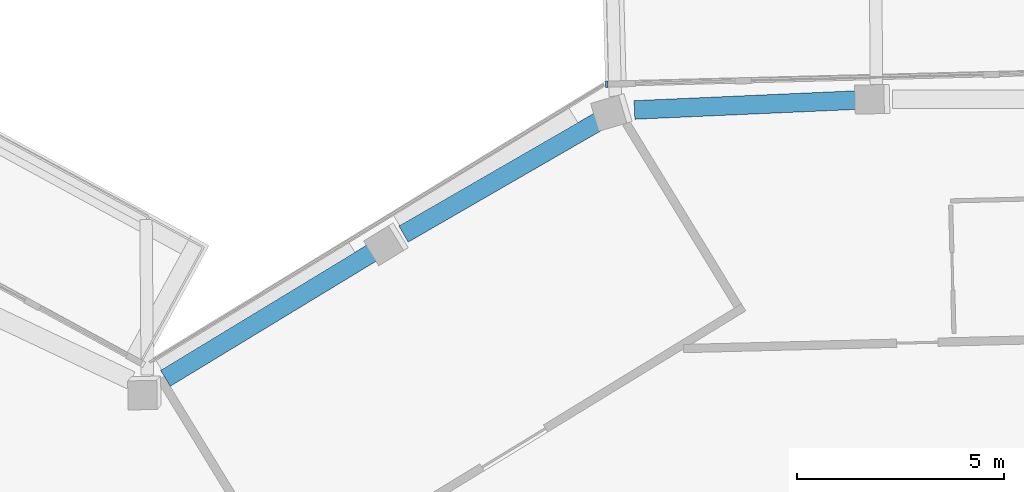
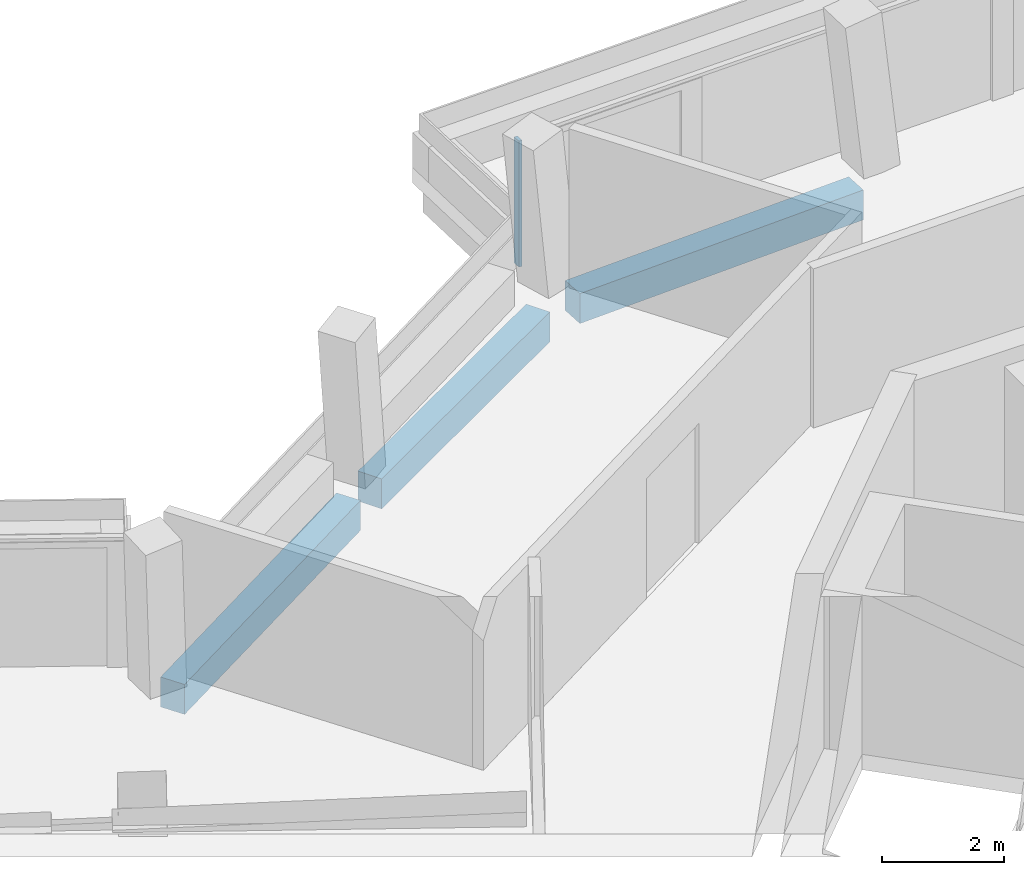
# One storey, part 6 of 26: 3 beams, 1 member, 1 element without a shape of its own.
"""IFC4 building model written with IfcOpenShell, lengths in metres."""

from ifc_helpers import new_model, si_unit, direction, frame, origin, origin_2d, place, context, subcontext, project, spatial, rectangle, extrude, material, layer, layer_set, material_profile, profile_set, type_object, element, aggregate, save


model = new_model("IFC4")

# Units and contexts
model_context = context("Model", 3, precision=1e-05, world=origin(), true_north=direction((0.0, 1.0)))
body_context = subcontext(model_context, "Body", "Model", "MODEL_VIEW")
ifc_project = project(units=[si_unit("LENGTHUNIT", "METRE"), si_unit("AREAUNIT", "SQUARE_METRE"), si_unit("VOLUMEUNIT", "CUBIC_METRE"), si_unit("PLANEANGLEUNIT", "RADIAN"), si_unit("MASSUNIT", "GRAM", prefix="KILO")], contexts=[model_context])

# Site, building, storey
site_placement = place(None, origin())
site = spatial("IfcSite", under=ifc_project, at=site_placement, CompositionType="ELEMENT")
building_placement = place(site_placement, origin())
building = spatial("IfcBuilding", under=site, at=building_placement, Name="Verdalira Terraces Hotel", CompositionType="ELEMENT")
storey_placement = place(building_placement, frame((0.0, 0.0, 284.5)))
storey = spatial("IfcBuildingStorey", under=building, at=storey_placement, Name="L70", CompositionType="ELEMENT", Elevation=284.5)

# Curtain wall, member
ifc_material_1 = material(Name="Clear glass", Category="glass")
ifc_layer = layer(ifc_material_1, 0.14990234375)
ifc_layer_set = layer_set([ifc_layer], Name="CW1 curtain wall")
curtain_wall_type = type_object("IfcCurtainWallType", Name="CW1 curtain wall", PredefinedType="NOTDEFINED", material=ifc_layer_set)
curtain_wall_placement = place(storey_placement, origin())
curtain_wall = element("IfcCurtainWall", 1, at=curtain_wall_placement, inside=storey, type_object=curtain_wall_type, Name="CW1 curtain wall L70 edge 40", PredefinedType="NOTDEFINED")
ifc_material_2 = material(Name="Terracotta frame", Category="masonry")
ifc_material_profile_1 = material_profile(ifc_material_2, rectangle(XDim=0.060059, YDim=0.149902, at=origin_2d()), Name="MU 60x150")
ifc_profile_set_1 = profile_set([ifc_material_profile_1], Name="Terracotta frame")
member_type = type_object("IfcMemberType", Name="CW1 mullion 60x150", PredefinedType="MULLION", material=ifc_profile_set_1)
member_placement = place(storey_placement, frame((-7.075684, 24.013184, 0.0), z_axis=(0.0, 0.0, 1.0), x_axis=(-0.999684189, -0.025130095, 0.0)))
member = element("IfcMember", 2, at=member_placement, type_object=member_type, Name="CW1 mullion", PredefinedType="MULLION", context=body_context, shape_type="SweptSolid", body=[
    extrude(rectangle(XDim=0.060059, YDim=0.149902, at=origin_2d()), origin(), (0.0, 0.0, 1.0), 2.524902),
])
aggregate(curtain_wall, [member])

# Beams
ifc_material_3 = material(Name="Concrete C40", Category="concrete")
ifc_material_profile_2 = material_profile(ifc_material_3, rectangle(XDim=0.449951, YDim=0.600098, at=origin_2d()), Name="RC 450X600")
ifc_profile_set_2 = profile_set([ifc_material_profile_2], Name="Concrete C40")
beam_type = type_object("IfcBeamType", Name="Spandrel beam RC 450X600 C40", PredefinedType="SPANDREL", material=ifc_profile_set_2)
beam_1_placement = place(storey_placement, frame((-0.887451, 23.635986, -0.610107), z_axis=(-0.999012106, -0.04443886, 0.0), x_axis=(0.04443886, -0.999012106, 0.0)))
element("IfcBeam", 3, at=beam_1_placement, inside=storey, type_object=beam_type, Name="Spandrel beam B27", PredefinedType="SPANDREL", context=body_context, shape_type="SweptSolid", body=[
    extrude(rectangle(XDim=0.449951, YDim=0.600098, at=origin_2d()), origin(), (0.0, 0.0, 1.0), 5.52124),
])
beam_2_placement = place(storey_placement, frame((-7.191895, 23.158691, -0.610107), z_axis=(-0.86602586, -0.49999921, 0.0), x_axis=(0.49999921, -0.86602586, 0.0)))
element("IfcBeam", 4, at=beam_2_placement, inside=storey, type_object=beam_type, Name="Spandrel beam B28", PredefinedType="SPANDREL", context=body_context, shape_type="SweptSolid", body=[
    extrude(rectangle(XDim=0.449951, YDim=0.600098, at=origin_2d()), origin(), (0.0, 0.0, 1.0), 5.523438),
])
beam_3_placement = place(storey_placement, frame((-12.584229, 20.036377, -0.610107), z_axis=(-0.854696137, -0.51912861, 0.0), x_axis=(0.51912861, -0.854696137, 0.0)))
element("IfcBeam", 5, at=beam_3_placement, inside=storey, type_object=beam_type, Name="Spandrel beam B29", PredefinedType="SPANDREL", context=body_context, shape_type="SweptSolid", body=[
    extrude(rectangle(XDim=0.449951, YDim=0.600098, at=origin_2d()), origin(), (0.0, 0.0, 1.0), 6.011719),
])

save(model, "model.ifc")
